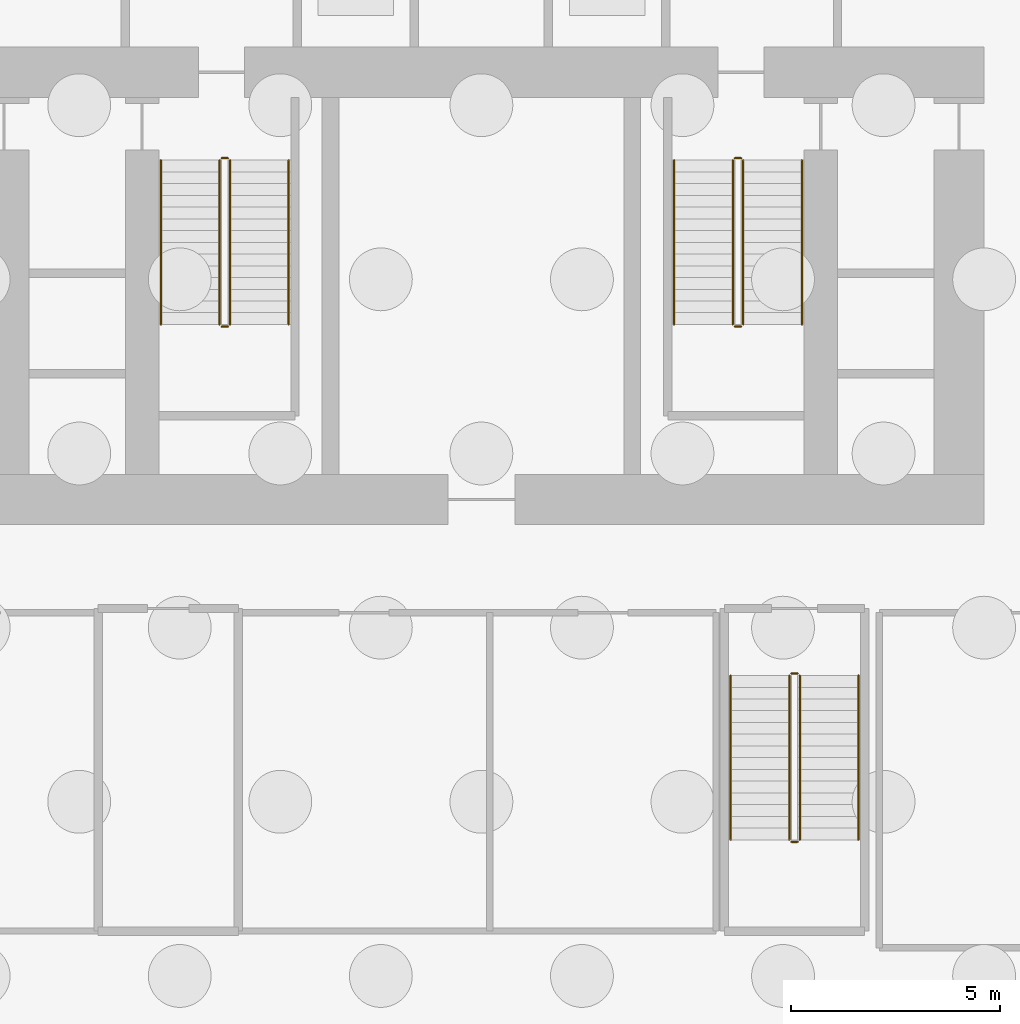
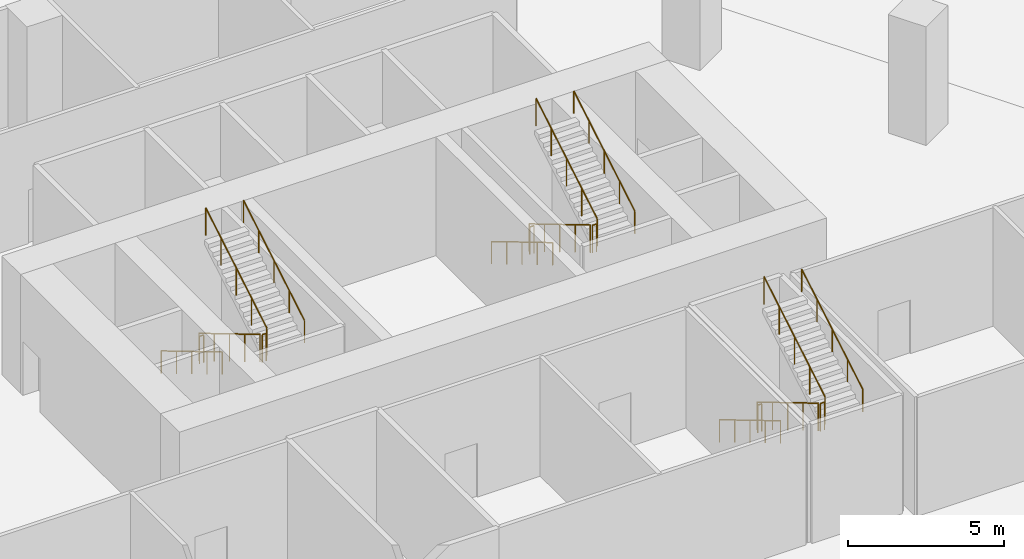
# One storey, part 6 of 7: 18 railings.
"""IFC4 building model written with IfcOpenShell, lengths in metres."""

from ifc_helpers import new_model, si_unit, direction, frame, origin, origin_2d, place, context, subcontext, project, spatial, circle, extrude, material, type_object, element, save


model = new_model("IFC4")

# Units and contexts
model_context = context("Model", 3, precision=1e-05, world=origin(), true_north=direction((0.0, 1.0)))
body_context = subcontext(model_context, "Body", "Model", "MODEL_VIEW")
ifc_project = project(units=[si_unit("LENGTHUNIT", "METRE"), si_unit("AREAUNIT", "SQUARE_METRE"), si_unit("VOLUMEUNIT", "CUBIC_METRE"), si_unit("PLANEANGLEUNIT", "RADIAN"), si_unit("MASSUNIT", "GRAM", prefix="KILO")], contexts=[model_context])

# Site, building, storey
site_placement = place(None, origin())
site = spatial("IfcSite", under=ifc_project, at=site_placement, CompositionType="ELEMENT")
building_placement = place(site_placement, origin())
building = spatial("IfcBuilding", under=site, at=building_placement, Name="Ostrander Bayou Hotel Tower", CompositionType="ELEMENT")
storey_placement = place(building_placement, frame((0.0, 0.0, -5.0)))
storey = spatial("IfcBuildingStorey", under=building, at=storey_placement, Name="B1", CompositionType="ELEMENT", Elevation=-5.0)

# Railings
ifc_material_1 = material(Name="Steel ASTM A500 Gr C", Category="steel")
railing_type_1 = type_object("IfcRailingType", Name="GR1 stair guard 1100 mm steel", PredefinedType="GUARDRAIL", material=ifc_material_1)
railing_1_placement = place(storey_placement, frame((-6.25, 7.0, 0.166748046875)))
element("IfcRailing", 1, at=railing_1_placement, inside=storey, type_object=railing_type_1, Name="B1 STA stair guard 1", PredefinedType="GUARDRAIL", context=body_context, shape_type="SweptSolid", body=[
    extrude(circle(Radius=0.02392578125, at=origin_2d()), frame((0.0, 0.0, 1.076171875), z_axis=(0.0, -0.859296244711, 0.511478214419), x_axis=(1.0, 0.0, 0.0)), (0.0, 0.0, 1.0), 4.561767578125),
    extrude(circle(Radius=0.02099609375, at=origin_2d()), origin(), (0.0, 0.0, 1.0), 1.052001953125),
    extrude(circle(Radius=0.02099609375, at=origin_2d()), frame((0.0, -0.97998046875, 0.583251953125)), (0.0, 0.0, 1.0), 1.052001953125),
    extrude(circle(Radius=0.02099609375, at=origin_2d()), frame((0.0, -1.9599609375, 1.16650390625)), (0.0, 0.0, 1.0), 1.052001953125),
    extrude(circle(Radius=0.02099609375, at=origin_2d()), frame((0.0, -2.93994140625, 1.75)), (0.0, 0.0, 1.0), 1.052001953125),
    extrude(circle(Radius=0.02099609375, at=origin_2d()), frame((0.0, -3.919921875, 2.333251953125)), (0.0, 0.0, 1.0), 1.052001953125),
])
railing_2_placement = place(storey_placement, frame((-6.199951171875, 3.030029296875, 2.5)))
element("IfcRailing", 2, at=railing_2_placement, inside=storey, type_object=railing_type_1, Name="B1 STA stair guard 2", PredefinedType="GUARDRAIL", context=body_context, shape_type="SweptSolid", body=[
    extrude(circle(Radius=0.02392578125, at=origin_2d()), frame((0.0, 0.0, 1.076171875), z_axis=(1.0, 0.0, 0.0), x_axis=(0.0, 1.0, 0.0)), (0.0, 0.0, 1.0), 0.14990234375),
    extrude(circle(Radius=0.02099609375, at=origin_2d()), origin(), (0.0, 0.0, 1.0), 1.052001953125),
    extrude(circle(Radius=0.02099609375, at=origin_2d()), frame((0.14990234375, 0.0, 0.0)), (0.0, 0.0, 1.0), 1.052001953125),
])
railing_3_placement = place(storey_placement, frame((-6.0, 3.080078125, 2.666748046875)))
element("IfcRailing", 3, at=railing_3_placement, inside=storey, type_object=railing_type_1, Name="B1 STA stair guard 3", PredefinedType="GUARDRAIL", context=body_context, shape_type="SweptSolid", body=[
    extrude(circle(Radius=0.02392578125, at=origin_2d()), frame((0.0, 0.0, 1.076171875), z_axis=(0.0, 0.859296244711, 0.511478214419), x_axis=(-1.0, 0.0, 0.0)), (0.0, 0.0, 1.0), 4.561767578125),
    extrude(circle(Radius=0.02099609375, at=origin_2d()), origin(), (0.0, 0.0, 1.0), 1.052001953125),
    extrude(circle(Radius=0.02099609375, at=origin_2d()), frame((0.0, 0.97998046875, 0.583251953125)), (0.0, 0.0, 1.0), 1.052001953125),
    extrude(circle(Radius=0.02099609375, at=origin_2d()), frame((0.0, 1.9599609375, 1.16650390625)), (0.0, 0.0, 1.0), 1.052001953125),
    extrude(circle(Radius=0.02099609375, at=origin_2d()), frame((0.0, 2.93994140625, 1.75)), (0.0, 0.0, 1.0), 1.052001953125),
    extrude(circle(Radius=0.02099609375, at=origin_2d()), frame((0.0, 3.919921875, 2.333251953125)), (0.0, 0.0, 1.0), 1.052001953125),
])
railing_4_placement = place(storey_placement, frame((-6.199951171875, 7.050048828125, 0.0)))
element("IfcRailing", 4, at=railing_4_placement, inside=storey, type_object=railing_type_1, Name="B1 STA stair guard 4", PredefinedType="GUARDRAIL", context=body_context, shape_type="SweptSolid", body=[
    extrude(circle(Radius=0.02392578125, at=origin_2d()), frame((0.0, 0.0, 1.076171875), z_axis=(1.0, 0.0, 0.0), x_axis=(0.0, 1.0, 0.0)), (0.0, 0.0, 1.0), 0.14990234375),
    extrude(circle(Radius=0.02099609375, at=origin_2d()), origin(), (0.0, 0.0, 1.0), 1.052001953125),
    extrude(circle(Radius=0.02099609375, at=origin_2d()), frame((0.14990234375, 0.0, 0.0)), (0.0, 0.0, 1.0), 1.052001953125),
])
railing_5_placement = place(storey_placement, frame((6.0, 7.0, 0.166748046875)))
element("IfcRailing", 5, at=railing_5_placement, inside=storey, type_object=railing_type_1, Name="B1 STB stair guard 1", PredefinedType="GUARDRAIL", context=body_context, shape_type="SweptSolid", body=[
    extrude(circle(Radius=0.02392578125, at=origin_2d()), frame((0.0, 0.0, 1.076171875), z_axis=(0.0, -0.859296244711, 0.511478214419), x_axis=(1.0, 0.0, 0.0)), (0.0, 0.0, 1.0), 4.561767578125),
    extrude(circle(Radius=0.02099609375, at=origin_2d()), origin(), (0.0, 0.0, 1.0), 1.052001953125),
    extrude(circle(Radius=0.02099609375, at=origin_2d()), frame((0.0, -0.97998046875, 0.583251953125)), (0.0, 0.0, 1.0), 1.052001953125),
    extrude(circle(Radius=0.02099609375, at=origin_2d()), frame((0.0, -1.9599609375, 1.16650390625)), (0.0, 0.0, 1.0), 1.052001953125),
    extrude(circle(Radius=0.02099609375, at=origin_2d()), frame((0.0, -2.93994140625, 1.75)), (0.0, 0.0, 1.0), 1.052001953125),
    extrude(circle(Radius=0.02099609375, at=origin_2d()), frame((0.0, -3.919921875, 2.333251953125)), (0.0, 0.0, 1.0), 1.052001953125),
])
railing_6_placement = place(storey_placement, frame((6.050048828125, 3.030029296875, 2.5)))
element("IfcRailing", 6, at=railing_6_placement, inside=storey, type_object=railing_type_1, Name="B1 STB stair guard 2", PredefinedType="GUARDRAIL", context=body_context, shape_type="SweptSolid", body=[
    extrude(circle(Radius=0.02392578125, at=origin_2d()), frame((0.0, 0.0, 1.076171875), z_axis=(1.0, 0.0, 0.0), x_axis=(0.0, 1.0, 0.0)), (0.0, 0.0, 1.0), 0.14990234375),
    extrude(circle(Radius=0.02099609375, at=origin_2d()), origin(), (0.0, 0.0, 1.0), 1.052001953125),
    extrude(circle(Radius=0.02099609375, at=origin_2d()), frame((0.14990234375, 0.0, 0.0)), (0.0, 0.0, 1.0), 1.052001953125),
])
railing_7_placement = place(storey_placement, frame((6.25, 3.080078125, 2.666748046875)))
element("IfcRailing", 7, at=railing_7_placement, inside=storey, type_object=railing_type_1, Name="B1 STB stair guard 3", PredefinedType="GUARDRAIL", context=body_context, shape_type="SweptSolid", body=[
    extrude(circle(Radius=0.02392578125, at=origin_2d()), frame((0.0, 0.0, 1.076171875), z_axis=(0.0, 0.859296244711, 0.511478214419), x_axis=(-1.0, 0.0, 0.0)), (0.0, 0.0, 1.0), 4.561767578125),
    extrude(circle(Radius=0.02099609375, at=origin_2d()), origin(), (0.0, 0.0, 1.0), 1.052001953125),
    extrude(circle(Radius=0.02099609375, at=origin_2d()), frame((0.0, 0.97998046875, 0.583251953125)), (0.0, 0.0, 1.0), 1.052001953125),
    extrude(circle(Radius=0.02099609375, at=origin_2d()), frame((0.0, 1.9599609375, 1.16650390625)), (0.0, 0.0, 1.0), 1.052001953125),
    extrude(circle(Radius=0.02099609375, at=origin_2d()), frame((0.0, 2.93994140625, 1.75)), (0.0, 0.0, 1.0), 1.052001953125),
    extrude(circle(Radius=0.02099609375, at=origin_2d()), frame((0.0, 3.919921875, 2.333251953125)), (0.0, 0.0, 1.0), 1.052001953125),
])
railing_8_placement = place(storey_placement, frame((6.050048828125, 7.050048828125, 0.0)))
element("IfcRailing", 8, at=railing_8_placement, inside=storey, type_object=railing_type_1, Name="B1 STB stair guard 4", PredefinedType="GUARDRAIL", context=body_context, shape_type="SweptSolid", body=[
    extrude(circle(Radius=0.02392578125, at=origin_2d()), frame((0.0, 0.0, 1.076171875), z_axis=(1.0, 0.0, 0.0), x_axis=(0.0, 1.0, 0.0)), (0.0, 0.0, 1.0), 0.14990234375),
    extrude(circle(Radius=0.02099609375, at=origin_2d()), origin(), (0.0, 0.0, 1.0), 1.052001953125),
    extrude(circle(Radius=0.02099609375, at=origin_2d()), frame((0.14990234375, 0.0, 0.0)), (0.0, 0.0, 1.0), 1.052001953125),
])
railing_9_placement = place(storey_placement, frame((7.35009765625, -5.300048828125, 0.166748046875)))
element("IfcRailing", 9, at=railing_9_placement, inside=storey, type_object=railing_type_1, Name="B1 STC stair guard 1", PredefinedType="GUARDRAIL", context=body_context, shape_type="SweptSolid", body=[
    extrude(circle(Radius=0.02392578125, at=origin_2d()), frame((0.0, 0.0, 1.076171875), z_axis=(0.0, -0.859296244711, 0.511478214419), x_axis=(1.0, 0.0, 0.0)), (0.0, 0.0, 1.0), 4.561767578125),
    extrude(circle(Radius=0.02099609375, at=origin_2d()), origin(), (0.0, 0.0, 1.0), 1.052001953125),
    extrude(circle(Radius=0.02099609375, at=origin_2d()), frame((0.0, -0.97998046875, 0.583251953125)), (0.0, 0.0, 1.0), 1.052001953125),
    extrude(circle(Radius=0.02099609375, at=origin_2d()), frame((0.0, -1.9599609375, 1.16650390625)), (0.0, 0.0, 1.0), 1.052001953125),
    extrude(circle(Radius=0.02099609375, at=origin_2d()), frame((0.0, -2.93994140625, 1.75)), (0.0, 0.0, 1.0), 1.052001953125),
    extrude(circle(Radius=0.02099609375, at=origin_2d()), frame((0.0, -3.919921875, 2.333251953125)), (0.0, 0.0, 1.0), 1.052001953125),
])
railing_10_placement = place(storey_placement, frame((7.39990234375, -9.27001953125, 2.5)))
element("IfcRailing", 10, at=railing_10_placement, inside=storey, type_object=railing_type_1, Name="B1 STC stair guard 2", PredefinedType="GUARDRAIL", context=body_context, shape_type="SweptSolid", body=[
    extrude(circle(Radius=0.02392578125, at=origin_2d()), frame((0.0, 0.0, 1.076171875), z_axis=(1.0, 0.0, 0.0), x_axis=(0.0, 1.0, 0.0)), (0.0, 0.0, 1.0), 0.150146484375),
    extrude(circle(Radius=0.02099609375, at=origin_2d()), origin(), (0.0, 0.0, 1.0), 1.052001953125),
    extrude(circle(Radius=0.02099609375, at=origin_2d()), frame((0.150146484375, 0.0, 0.0)), (0.0, 0.0, 1.0), 1.052001953125),
])
railing_11_placement = place(storey_placement, frame((7.60009765625, -9.219970703125, 2.666748046875)))
element("IfcRailing", 11, at=railing_11_placement, inside=storey, type_object=railing_type_1, Name="B1 STC stair guard 3", PredefinedType="GUARDRAIL", context=body_context, shape_type="SweptSolid", body=[
    extrude(circle(Radius=0.02392578125, at=origin_2d()), frame((0.0, 0.0, 1.076171875), z_axis=(0.0, 0.859296244711, 0.511478214419), x_axis=(-1.0, 0.0, 0.0)), (0.0, 0.0, 1.0), 4.561767578125),
    extrude(circle(Radius=0.02099609375, at=origin_2d()), origin(), (0.0, 0.0, 1.0), 1.052001953125),
    extrude(circle(Radius=0.02099609375, at=origin_2d()), frame((0.0, 0.97998046875, 0.583251953125)), (0.0, 0.0, 1.0), 1.052001953125),
    extrude(circle(Radius=0.02099609375, at=origin_2d()), frame((0.0, 1.9599609375, 1.16650390625)), (0.0, 0.0, 1.0), 1.052001953125),
    extrude(circle(Radius=0.02099609375, at=origin_2d()), frame((0.0, 2.93994140625, 1.75)), (0.0, 0.0, 1.0), 1.052001953125),
    extrude(circle(Radius=0.02099609375, at=origin_2d()), frame((0.0, 3.919921875, 2.333251953125)), (0.0, 0.0, 1.0), 1.052001953125),
])
railing_12_placement = place(storey_placement, frame((7.39990234375, -5.25, 0.0)))
element("IfcRailing", 12, at=railing_12_placement, inside=storey, type_object=railing_type_1, Name="B1 STC stair guard 4", PredefinedType="GUARDRAIL", context=body_context, shape_type="SweptSolid", body=[
    extrude(circle(Radius=0.02392578125, at=origin_2d()), frame((0.0, 0.0, 1.076171875), z_axis=(1.0, 0.0, 0.0), x_axis=(0.0, 1.0, 0.0)), (0.0, 0.0, 1.0), 0.150146484375),
    extrude(circle(Radius=0.02099609375, at=origin_2d()), origin(), (0.0, 0.0, 1.0), 1.052001953125),
    extrude(circle(Radius=0.02099609375, at=origin_2d()), frame((0.150146484375, 0.0, 0.0)), (0.0, 0.0, 1.0), 1.052001953125),
])
ifc_material_2 = material(Name="Steel ASTM A500 Gr C", Category="steel")
railing_type_2 = type_object("IfcRailingType", Name="HR1 stair handrail 900 mm steel", PredefinedType="HANDRAIL", material=ifc_material_2)
railing_13_placement = place(storey_placement, frame((-7.64990234375, 7.0, 0.166748046875)))
element("IfcRailing", 13, at=railing_13_placement, inside=storey, type_object=railing_type_2, Name="B1 STA stair handrail 1", PredefinedType="HANDRAIL", context=body_context, shape_type="SweptSolid", body=[
    extrude(circle(Radius=0.02392578125, at=origin_2d()), frame((0.0, 0.0, 0.8759765625), z_axis=(0.0, -0.859296244711, 0.511478214419), x_axis=(1.0, 0.0, 0.0)), (0.0, 0.0, 1.0), 4.561767578125),
    extrude(circle(Radius=0.02099609375, at=origin_2d()), origin(), (0.0, 0.0, 1.0), 0.851806640625),
    extrude(circle(Radius=0.02099609375, at=origin_2d()), frame((0.0, -0.97998046875, 0.583251953125)), (0.0, 0.0, 1.0), 0.851806640625),
    extrude(circle(Radius=0.02099609375, at=origin_2d()), frame((0.0, -1.9599609375, 1.16650390625)), (0.0, 0.0, 1.0), 0.851806640625),
    extrude(circle(Radius=0.02099609375, at=origin_2d()), frame((0.0, -2.93994140625, 1.75)), (0.0, 0.0, 1.0), 0.851806640625),
    extrude(circle(Radius=0.02099609375, at=origin_2d()), frame((0.0, -3.919921875, 2.333251953125)), (0.0, 0.0, 1.0), 0.851806640625),
])
railing_14_placement = place(storey_placement, frame((-4.60009765625, 3.080078125, 2.666748046875)))
element("IfcRailing", 14, at=railing_14_placement, inside=storey, type_object=railing_type_2, Name="B1 STA stair handrail 2", PredefinedType="HANDRAIL", context=body_context, shape_type="SweptSolid", body=[
    extrude(circle(Radius=0.02392578125, at=origin_2d()), frame((0.0, 0.0, 0.8759765625), z_axis=(0.0, 0.859296244711, 0.511478214419), x_axis=(-1.0, 0.0, 0.0)), (0.0, 0.0, 1.0), 4.561767578125),
    extrude(circle(Radius=0.02099609375, at=origin_2d()), origin(), (0.0, 0.0, 1.0), 0.851806640625),
    extrude(circle(Radius=0.02099609375, at=origin_2d()), frame((0.0, 0.97998046875, 0.583251953125)), (0.0, 0.0, 1.0), 0.851806640625),
    extrude(circle(Radius=0.02099609375, at=origin_2d()), frame((0.0, 1.9599609375, 1.16650390625)), (0.0, 0.0, 1.0), 0.851806640625),
    extrude(circle(Radius=0.02099609375, at=origin_2d()), frame((0.0, 2.93994140625, 1.75)), (0.0, 0.0, 1.0), 0.851806640625),
    extrude(circle(Radius=0.02099609375, at=origin_2d()), frame((0.0, 3.919921875, 2.333251953125)), (0.0, 0.0, 1.0), 0.851806640625),
])
railing_15_placement = place(storey_placement, frame((4.60009765625, 7.0, 0.166748046875)))
element("IfcRailing", 15, at=railing_15_placement, inside=storey, type_object=railing_type_2, Name="B1 STB stair handrail 1", PredefinedType="HANDRAIL", context=body_context, shape_type="SweptSolid", body=[
    extrude(circle(Radius=0.02392578125, at=origin_2d()), frame((0.0, 0.0, 0.8759765625), z_axis=(0.0, -0.859296244711, 0.511478214419), x_axis=(1.0, 0.0, 0.0)), (0.0, 0.0, 1.0), 4.561767578125),
    extrude(circle(Radius=0.02099609375, at=origin_2d()), origin(), (0.0, 0.0, 1.0), 0.851806640625),
    extrude(circle(Radius=0.02099609375, at=origin_2d()), frame((0.0, -0.97998046875, 0.583251953125)), (0.0, 0.0, 1.0), 0.851806640625),
    extrude(circle(Radius=0.02099609375, at=origin_2d()), frame((0.0, -1.9599609375, 1.16650390625)), (0.0, 0.0, 1.0), 0.851806640625),
    extrude(circle(Radius=0.02099609375, at=origin_2d()), frame((0.0, -2.93994140625, 1.75)), (0.0, 0.0, 1.0), 0.851806640625),
    extrude(circle(Radius=0.02099609375, at=origin_2d()), frame((0.0, -3.919921875, 2.333251953125)), (0.0, 0.0, 1.0), 0.851806640625),
])
railing_16_placement = place(storey_placement, frame((7.64990234375, 3.080078125, 2.666748046875)))
element("IfcRailing", 16, at=railing_16_placement, inside=storey, type_object=railing_type_2, Name="B1 STB stair handrail 2", PredefinedType="HANDRAIL", context=body_context, shape_type="SweptSolid", body=[
    extrude(circle(Radius=0.02392578125, at=origin_2d()), frame((0.0, 0.0, 0.8759765625), z_axis=(0.0, 0.859296244711, 0.511478214419), x_axis=(-1.0, 0.0, 0.0)), (0.0, 0.0, 1.0), 4.561767578125),
    extrude(circle(Radius=0.02099609375, at=origin_2d()), origin(), (0.0, 0.0, 1.0), 0.851806640625),
    extrude(circle(Radius=0.02099609375, at=origin_2d()), frame((0.0, 0.97998046875, 0.583251953125)), (0.0, 0.0, 1.0), 0.851806640625),
    extrude(circle(Radius=0.02099609375, at=origin_2d()), frame((0.0, 1.9599609375, 1.16650390625)), (0.0, 0.0, 1.0), 0.851806640625),
    extrude(circle(Radius=0.02099609375, at=origin_2d()), frame((0.0, 2.93994140625, 1.75)), (0.0, 0.0, 1.0), 0.851806640625),
    extrude(circle(Radius=0.02099609375, at=origin_2d()), frame((0.0, 3.919921875, 2.333251953125)), (0.0, 0.0, 1.0), 0.851806640625),
])
railing_17_placement = place(storey_placement, frame((5.949951171875, -5.300048828125, 0.166748046875)))
element("IfcRailing", 17, at=railing_17_placement, inside=storey, type_object=railing_type_2, Name="B1 STC stair handrail 1", PredefinedType="HANDRAIL", context=body_context, shape_type="SweptSolid", body=[
    extrude(circle(Radius=0.02392578125, at=origin_2d()), frame((0.0, 0.0, 0.8759765625), z_axis=(0.0, -0.859296244711, 0.511478214419), x_axis=(1.0, 0.0, 0.0)), (0.0, 0.0, 1.0), 4.561767578125),
    extrude(circle(Radius=0.02099609375, at=origin_2d()), origin(), (0.0, 0.0, 1.0), 0.851806640625),
    extrude(circle(Radius=0.02099609375, at=origin_2d()), frame((0.0, -0.97998046875, 0.583251953125)), (0.0, 0.0, 1.0), 0.851806640625),
    extrude(circle(Radius=0.02099609375, at=origin_2d()), frame((0.0, -1.9599609375, 1.16650390625)), (0.0, 0.0, 1.0), 0.851806640625),
    extrude(circle(Radius=0.02099609375, at=origin_2d()), frame((0.0, -2.93994140625, 1.75)), (0.0, 0.0, 1.0), 0.851806640625),
    extrude(circle(Radius=0.02099609375, at=origin_2d()), frame((0.0, -3.919921875, 2.333251953125)), (0.0, 0.0, 1.0), 0.851806640625),
])
railing_18_placement = place(storey_placement, frame((9.0, -9.219970703125, 2.666748046875)))
element("IfcRailing", 18, at=railing_18_placement, inside=storey, type_object=railing_type_2, Name="B1 STC stair handrail 2", PredefinedType="HANDRAIL", context=body_context, shape_type="SweptSolid", body=[
    extrude(circle(Radius=0.02392578125, at=origin_2d()), frame((0.0, 0.0, 0.8759765625), z_axis=(0.0, 0.859296244711, 0.511478214419), x_axis=(-1.0, 0.0, 0.0)), (0.0, 0.0, 1.0), 4.561767578125),
    extrude(circle(Radius=0.02099609375, at=origin_2d()), origin(), (0.0, 0.0, 1.0), 0.851806640625),
    extrude(circle(Radius=0.02099609375, at=origin_2d()), frame((0.0, 0.97998046875, 0.583251953125)), (0.0, 0.0, 1.0), 0.851806640625),
    extrude(circle(Radius=0.02099609375, at=origin_2d()), frame((0.0, 1.9599609375, 1.16650390625)), (0.0, 0.0, 1.0), 0.851806640625),
    extrude(circle(Radius=0.02099609375, at=origin_2d()), frame((0.0, 2.93994140625, 1.75)), (0.0, 0.0, 1.0), 0.851806640625),
    extrude(circle(Radius=0.02099609375, at=origin_2d()), frame((0.0, 3.919921875, 2.333251953125)), (0.0, 0.0, 1.0), 0.851806640625),
])

save(model, "model.ifc")
